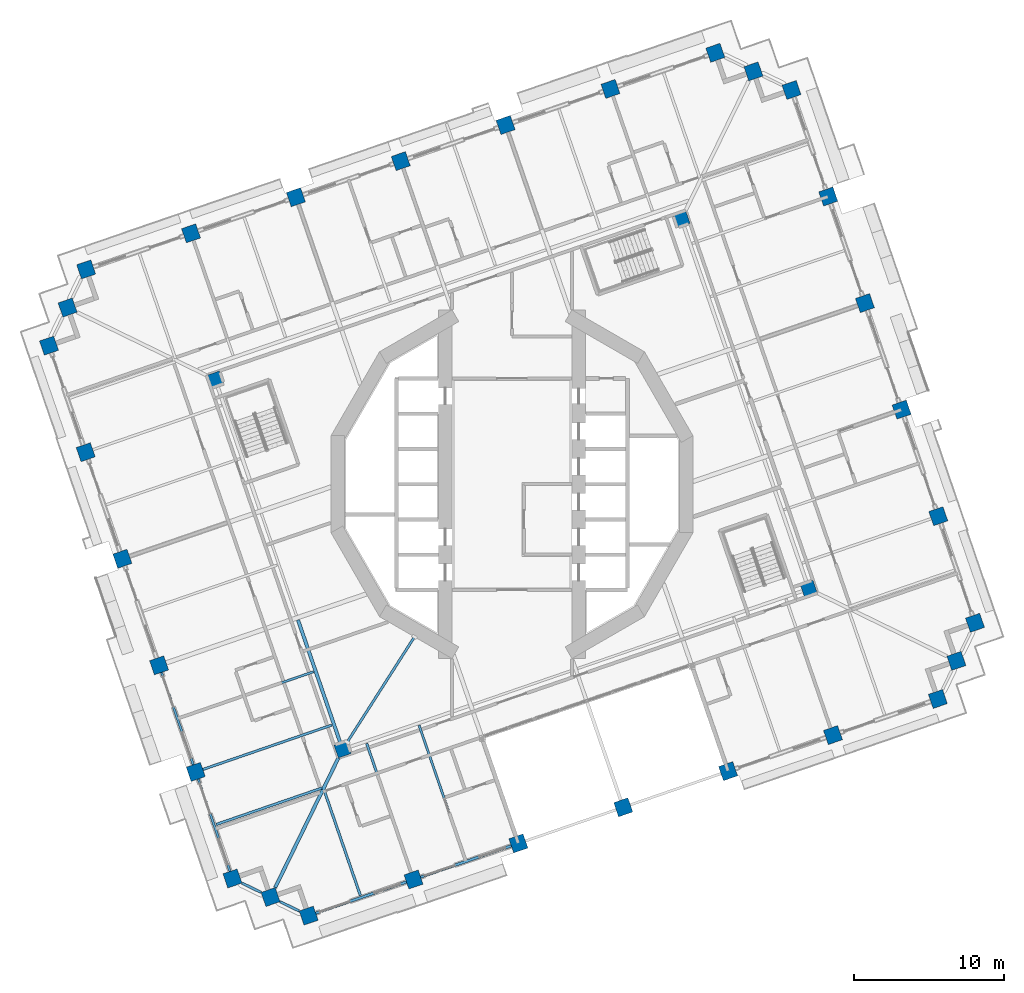
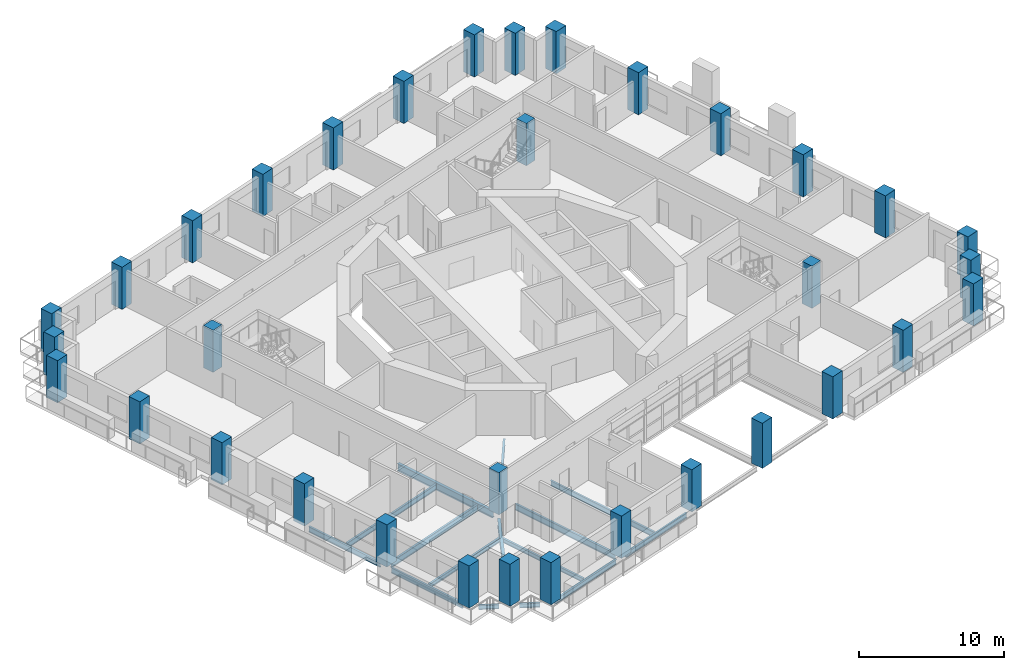
# One storey, part 1 of 22: 34 columns, 15 beams.
"""IFC4 building model written with IfcOpenShell, lengths in metres."""

from ifc_helpers import new_model, si_unit, direction, frame, origin, origin_2d, place, context, subcontext, project, spatial, rectangle, i_section, extrude, material, material_profile, profile_set, type_object, element, save


model = new_model("IFC4")

# Units and contexts
model_context = context("Model", 3, precision=1e-05, world=origin(), true_north=direction((0.0, 1.0)))
body_context = subcontext(model_context, "Body", "Model", "MODEL_VIEW")
ifc_project = project(units=[si_unit("LENGTHUNIT", "METRE"), si_unit("AREAUNIT", "SQUARE_METRE"), si_unit("VOLUMEUNIT", "CUBIC_METRE"), si_unit("PLANEANGLEUNIT", "RADIAN"), si_unit("MASSUNIT", "GRAM", prefix="KILO")], contexts=[model_context])

# Site, building, storey
site_placement = place(None, origin())
site = spatial("IfcSite", under=ifc_project, at=site_placement, CompositionType="ELEMENT")
building_placement = place(site_placement, origin())
building = spatial("IfcBuilding", under=site, at=building_placement, Name="Cantera Rosa Tower", CompositionType="ELEMENT")
storey_placement = place(building_placement, frame((0.0, 0.0, 107.89990234375)))
storey = spatial("IfcBuildingStorey", under=building, at=storey_placement, Name="L21", CompositionType="ELEMENT", Elevation=107.89990234375)

# Columns
ifc_material_1 = material(Name="Concrete C70/85", Category="concrete")
ifc_material_profile_1 = material_profile(ifc_material_1, rectangle(XDim=1.0, YDim=1.0, at=origin_2d()), Name="RC COLUMN RC1000X1000 C70/85")
ifc_profile_set_1 = profile_set([ifc_material_profile_1], Name="Concrete C70/85")
column_type_1 = type_object("IfcColumnType", Name="RC COLUMN RC1000X1000 C70/85", PredefinedType="COLUMN", material=ifc_profile_set_1)
for number, where, z_axis, x_axis, name in (
    (1, (30.893310546875, -9.245849609375, 0.0), (0.0, 0.0, 1.0), (0.945518575599, 0.325568154457, 0.0), "C-Z2-01 L21"),
    (2, (28.445068359375, -2.135498046875, 0.0), (0.0, 0.0, 1.0), (0.945518575599, 0.325568154457, 0.0), "C-Z2-02 L21"),
    (3, (25.996826171875, 4.974853515625, 0.0), (0.0, 0.0, 1.0), (0.945518575599, 0.325568154457, 0.0), "C-Z2-03 L21"),
    (4, (23.54833984375, 12.0849609375, 0.0), (0.0, 0.0, 1.0), (0.945518575599, 0.325568154457, 0.0), "C-Z2-04 L21"),
    (5, (21.10009765625, 19.1953125, 0.0), (0.0, 0.0, 1.0), (0.945518575599, 0.325568154457, 0.0), "C-Z2-05 L21"),
    (6, (18.65185546875, 26.3056640625, 0.0), (0.0, 0.0, 1.0), (0.945518575599, 0.325568154457, 0.0), "C-Z2-06 L21"),
    (7, (16.109619140625, 27.545654296875, 0.0), (0.0, 0.0, 1.0), (0.945518575599, 0.325568154457, 0.0), "C-Z2-07 L21"),
    (8, (13.567626953125, 28.785400390625, 0.0), (0.0, 0.0, 1.0), (0.945518575599, 0.325568154457, 0.0), "C-Z2-08 L21"),
    (9, (6.57080078125, 26.376220703125, 0.0), (0.0, 0.0, 1.0), (0.945518575599, 0.325568154457, 0.0), "C-Z2-09 L21"),
    (10, (-0.426025390625, 23.967041015625, 0.0), (0.0, 0.0, 1.0), (0.945518575599, 0.325568154457, 0.0), "C-Z2-10 L21"),
    (11, (-7.4228515625, 21.557861328125, 0.0), (0.0, 0.0, 1.0), (0.945518575599, 0.325568154457, 0.0), "C-Z2-11 L21"),
    (12, (-14.419677734375, 19.148681640625, 0.0), (0.0, 0.0, 1.0), (0.945518575599, 0.325568154457, 0.0), "C-Z2-12 L21"),
    (13, (-21.416748046875, 16.739501953125, 0.0), (0.0, 0.0, 1.0), (0.945518575599, 0.325568154457, 0.0), "C-Z2-13 L21"),
    (14, (-28.41357421875, 14.330322265625, 0.0), (0.0, 0.0, 1.0), (0.945518575599, 0.325568154457, 0.0), "C-Z2-14 L21"),
    (15, (-29.6533203125, 11.7880859375, 0.0), (0.0, 0.0, 1.0), (0.945518575599, 0.325568154457, 0.0), "C-Z2-15 L21"),
    (16, (-30.893310546875, 9.245849609375, 0.0), (0.0, 0.0, 1.0), (0.945518575599, 0.325568154457, 0.0), "C-Z2-16 L21"),
    (17, (-28.445068359375, 2.135498046875, 0.0), (0.0, 0.0, 1.0), (0.945518575599, 0.325568154457, 0.0), "C-Z2-17 L21"),
    (18, (-25.996826171875, -4.974853515625, 0.0), (0.0, 0.0, 1.0), (0.945518575599, 0.325568154457, 0.0), "C-Z2-18 L21"),
    (19, (-23.54833984375, -12.0849609375, 0.0), (0.0, 0.0, 1.0), (0.945518575599, 0.325568154457, 0.0), "C-Z2-19 L21"),
    (20, (-21.10009765625, -19.1953125, 0.0), (0.0, 0.0, 1.0), (0.945518575599, 0.325568154457, 0.0), "C-Z2-20 L21"),
    (21, (-18.65185546875, -26.3056640625, 0.0), (0.0, 0.0, 1.0), (0.945518575599, 0.325568154457, 0.0), "C-Z2-21 L21"),
    (22, (-16.109619140625, -27.545654296875, 0.0), (0.0, 0.0, 1.0), (0.945518575599, 0.325568154457, 0.0), "C-Z2-22 L21"),
    (23, (-13.567626953125, -28.785400390625, 0.0), (0.0, 0.0, 1.0), (0.945518575599, 0.325568154457, 0.0), "C-Z2-23 L21"),
    (24, (-6.57080078125, -26.376220703125, 0.0), (0.0, 0.0, 1.0), (0.945518575599, 0.325568154457, 0.0), "C-Z2-24 L21"),
    (25, (0.426025390625, -23.967041015625, 0.0), (0.0, 0.0, 1.0), (0.945518575599, 0.325568154457, 0.0), "C-Z2-25 L21"),
):
    element("IfcColumn", number, at=place(storey_placement, frame(where, z_axis=z_axis, x_axis=x_axis)), inside=storey, type_object=column_type_1, Name=name, PredefinedType="COLUMN", context=body_context, shape_type="SweptSolid", body=[
        extrude(rectangle(XDim=1.0, YDim=1.0, at=origin_2d()), origin(), (0.0, 0.0, 1.0), 3.550048828125),
    ])
column_placement = place(storey_placement, frame((7.4228515625, -21.557861328125, -0.25), z_axis=(0.0, 0.0, 1.0), x_axis=(0.945518575599, 0.325568154457, 0.0)))
element("IfcColumn", 26, at=column_placement, inside=storey, type_object=column_type_1, Name="C-Z2-26 L21", PredefinedType="COLUMN", context=body_context, shape_type="SweptSolid", body=[
    extrude(rectangle(XDim=1.0, YDim=1.0, at=origin_2d()), origin(), (0.0, 0.0, 1.0), 3.800048828125),
])
for number, where, z_axis, x_axis, name in (
    (27, (14.419677734375, -19.148681640625, 0.0), (0.0, 0.0, 1.0), (0.945518575599, 0.325568154457, 0.0), "C-Z2-27 L21"),
    (28, (21.416748046875, -16.739501953125, 0.0), (0.0, 0.0, 1.0), (0.945518575599, 0.325568154457, 0.0), "C-Z2-28 L21"),
    (29, (28.41357421875, -14.330322265625, 0.0), (0.0, 0.0, 1.0), (0.945518575599, 0.325568154457, 0.0), "C-Z2-29 L21"),
    (30, (29.6533203125, -11.7880859375, 0.0), (0.0, 0.0, 1.0), (0.945518575599, 0.325568154457, 0.0), "C-Z2-30 L21"),
):
    element("IfcColumn", number, at=place(storey_placement, frame(where, z_axis=z_axis, x_axis=x_axis)), inside=storey, type_object=column_type_1, Name=name, PredefinedType="COLUMN", context=body_context, shape_type="SweptSolid", body=[
        extrude(rectangle(XDim=1.0, YDim=1.0, at=origin_2d()), origin(), (0.0, 0.0, 1.0), 3.550048828125),
    ])
ifc_material_2 = material(Name="Concrete C70/85", Category="concrete")
ifc_material_profile_2 = material_profile(ifc_material_2, rectangle(XDim=0.89990234375, YDim=0.89990234375, at=origin_2d()), Name="RC RING COLUMN RC900X900 C70/85")
ifc_profile_set_2 = profile_set([ifc_material_profile_2], Name="Concrete C70/85")
column_type_2 = type_object("IfcColumnType", Name="RC RING COLUMN RC900X900 C70/85", PredefinedType="COLUMN", material=ifc_profile_set_2)
for number, where, z_axis, x_axis, name in (
    (31, (11.30517578125, 17.694580078125, 0.0), (0.0, 0.0, 1.0), (0.945518575599, 0.325568154457, 0.0), "CI-Z2-1 L21"),
    (32, (-19.802490234375, 6.9833984375, 0.0), (0.0, 0.0, 1.0), (0.945518575599, 0.325568154457, 0.0), "CI-Z2-2 L21"),
    (33, (-11.30517578125, -17.694580078125, 0.0), (0.0, 0.0, 1.0), (0.945518575599, 0.325568154457, 0.0), "CI-Z2-3 L21"),
    (34, (19.802490234375, -6.9833984375, 0.0), (0.0, 0.0, 1.0), (0.945518575599, 0.325568154457, 0.0), "CI-Z2-4 L21"),
):
    element("IfcColumn", number, at=place(storey_placement, frame(where, z_axis=z_axis, x_axis=x_axis)), inside=storey, type_object=column_type_2, Name=name, PredefinedType="COLUMN", context=body_context, shape_type="SweptSolid", body=[
        extrude(rectangle(XDim=0.89990234375, YDim=0.89990234375, at=origin_2d()), origin(), (0.0, 0.0, 1.0), 3.550048828125),
    ])

# Beams
ifc_material_3 = material(Name="Steel ASTM A992 (Fy 345 MPa)", Category="steel")
ifc_material_profile_3 = material_profile(ifc_material_3, i_section(OverallWidth=0.166015625, OverallDepth=0.528076171875, WebThickness=0.009765625, FlangeThickness=0.013671875, FilletRadius=0.0126953125, at=origin_2d()), Name="W530X74")
ifc_profile_set_3 = profile_set([ifc_material_profile_3], Name="Steel ASTM A992 (Fy 345 MPa)")
beam_type_1 = type_object("IfcBeamType", Name="STEEL BEAM W530X74", PredefinedType="BEAM", material=ifc_profile_set_3)
for number, where, z_axis, x_axis, name in (
    (35, (-6.7333984375, -25.903564453125, -0.513916015625), (-0.325588827377, 0.945511457089, 0.0), (-0.945511457089, -0.325588827377, 0.0), "G-Z2-10 L21"),
    (36, (-20.62744140625, -19.032470703125, -0.513916015625), (0.94551971591, 0.325564842737, 0.0), (-0.325564842737, 0.94551971591, 0.0), "G-Z2-18 L21"),
):
    element("IfcBeam", number, at=place(storey_placement, frame(where, z_axis=z_axis, x_axis=x_axis)), inside=storey, type_object=beam_type_1, Name=name, PredefinedType="BEAM", context=body_context, shape_type="SweptSolid", body=[
        extrude(i_section(OverallWidth=0.166015625, OverallDepth=0.528076171875, WebThickness=0.009765625, FlangeThickness=0.013671875, FilletRadius=0.0126953125, at=origin_2d()), origin(), (0.0, 0.0, 1.0), 9.10009765625),
    ])
beam_1_placement = place(storey_placement, frame((-10.995849609375, -17.21044921875, -0.513916015625), z_axis=(0.538396209095, 0.842691830999, 0.0), x_axis=(-0.842691830999, 0.538396209095, 0.0)))
element("IfcBeam", 37, at=beam_1_placement, inside=storey, type_object=beam_type_1, Name="PG-Z2-01 L21", PredefinedType="BEAM", context=body_context, shape_type="SweptSolid", body=[
    extrude(i_section(OverallWidth=0.166015625, OverallDepth=0.528076171875, WebThickness=0.009765625, FlangeThickness=0.013671875, FilletRadius=0.0126953125, at=origin_2d()), origin(), (0.0, 0.0, 1.0), 8.3369140625),
])
ifc_material_4 = material(Name="Steel ASTM A992 (Fy 345 MPa)", Category="steel")
ifc_material_profile_4 = material_profile(ifc_material_4, i_section(OverallWidth=0.22802734375, OverallDepth=0.60205078125, WebThickness=0.010498046875, FlangeThickness=0.014892578125, FilletRadius=0.0126953125, at=origin_2d()), Name="W610X101")
ifc_profile_set_4 = profile_set([ifc_material_profile_4], Name="Steel ASTM A992 (Fy 345 MPa)")
beam_type_2 = type_object("IfcBeamType", Name="STEEL BEAM W610X101", PredefinedType="BEAM", material=ifc_profile_set_4)
beam_2_placement = place(storey_placement, frame((-15.7998046875, -26.909912109375, -0.55078125), z_axis=(0.438387618569, 0.898786012288, 0.0), x_axis=(-0.898786012288, 0.438387618569, 0.0)))
element("IfcBeam", 38, at=beam_2_placement, inside=storey, type_object=beam_type_2, Name="CB-Z2-03 L21", PredefinedType="BEAM", context=body_context, shape_type="SweptSolid", body=[
    extrude(i_section(OverallWidth=0.22802734375, OverallDepth=0.60205078125, WebThickness=0.010498046875, FlangeThickness=0.014892578125, FilletRadius=0.0126953125, at=origin_2d()), origin(), (0.0, 0.0, 1.0), 9.61669921875),
])
beam_3_placement = place(storey_placement, frame((-11.45166015625, -17.26904296875, -0.55078125), z_axis=(-0.325559468466, 0.945521566381, 0.0), x_axis=(-0.945521566381, -0.325559468466, 0.0)))
element("IfcBeam", 39, at=beam_3_placement, inside=storey, type_object=beam_type_2, Name="RB-Z2-12 L21", PredefinedType="BEAM", context=body_context, shape_type="SweptSolid", body=[
    extrude(i_section(OverallWidth=0.22802734375, OverallDepth=0.60205078125, WebThickness=0.010498046875, FlangeThickness=0.014892578125, FilletRadius=0.0126953125, at=origin_2d()), origin(), (0.0, 0.0, 1.0), 8.68994140625),
])
ifc_material_5 = material(Name="Steel ASTM A992 (Fy 345 MPa)", Category="steel")
ifc_material_profile_5 = material_profile(ifc_material_5, i_section(OverallWidth=0.1708984375, OverallDepth=0.35595703125, WebThickness=0.00732421875, FlangeThickness=0.01171875, FilletRadius=0.010009765625, at=origin_2d()), Name="W360X51")
ifc_profile_set_5 = profile_set([ifc_material_profile_5], Name="Steel ASTM A992 (Fy 345 MPa)")
beam_type_3 = type_object("IfcBeamType", Name="STEEL JOIST W360X51", PredefinedType="JOIST", material=ifc_profile_set_5)
beam_4_placement = place(storey_placement, frame((-10.117919921875, -27.43896484375, -0.427978515625), z_axis=(-0.325565645331, 0.945519439557, 0.0), x_axis=(-0.945519439557, -0.325565645331, 0.0)))
element("IfcBeam", 40, at=beam_4_placement, inside=storey, type_object=beam_type_3, Name="B-Z2-12 L21", PredefinedType="JOIST", context=body_context, shape_type="SweptSolid", body=[
    extrude(i_section(OverallWidth=0.1708984375, OverallDepth=0.35595703125, WebThickness=0.00732421875, FlangeThickness=0.01171875, FilletRadius=0.010009765625, at=origin_2d()), origin(), (0.0, 0.0, 1.0), 7.39990234375),
])
beam_5_placement = place(storey_placement, frame((-19.734130859375, -22.70166015625, -0.427978515625), z_axis=(0.945518264054, 0.32556905925, 0.0), x_axis=(-0.32556905925, 0.945518264054, 0.0)))
element("IfcBeam", 41, at=beam_5_placement, inside=storey, type_object=beam_type_3, Name="B-Z2-22 L21", PredefinedType="JOIST", context=body_context, shape_type="SweptSolid", body=[
    extrude(i_section(OverallWidth=0.1708984375, OverallDepth=0.35595703125, WebThickness=0.00732421875, FlangeThickness=0.01171875, FilletRadius=0.010009765625, at=origin_2d()), origin(), (0.0, 0.0, 1.0), 7.4599609375),
])
ifc_material_6 = material(Name="Steel ASTM A992 (Fy 345 MPa)", Category="steel")
ifc_material_profile_6 = material_profile(ifc_material_6, i_section(OverallWidth=0.154052734375, OverallDepth=0.4599609375, WebThickness=0.009033203125, FlangeThickness=0.015380859375, FilletRadius=0.01025390625, at=origin_2d()), Name="W460X68")
ifc_profile_set_6 = profile_set([ifc_material_profile_6], Name="Steel ASTM A992 (Fy 345 MPa)")
beam_type_4 = type_object("IfcBeamType", Name="STEEL JOIST W460X68", PredefinedType="JOIST", material=ifc_profile_set_6)
for number, where, z_axis, x_axis, name in (
    (42, (-3.12109375, -25.02978515625, -0.47998046875), (-0.325575037498, 0.94551620555, 0.0), (-0.94551620555, -0.325575037498, 0.0), "B-Z2-13 L21"),
    (43, (-22.182373046875, -15.59130859375, -0.47998046875), (0.94551620555, 0.325575037498, 0.0), (-0.325575037498, 0.94551620555, 0.0), "B-Z2-21 L21"),
):
    element("IfcBeam", number, at=place(storey_placement, frame(where, z_axis=z_axis, x_axis=x_axis)), inside=storey, type_object=beam_type_4, Name=name, PredefinedType="JOIST", context=body_context, shape_type="SweptSolid", body=[
        extrude(i_section(OverallWidth=0.154052734375, OverallDepth=0.4599609375, WebThickness=0.009033203125, FlangeThickness=0.015380859375, FilletRadius=0.01025390625, at=origin_2d()), origin(), (0.0, 0.0, 1.0), 9.449951171875),
    ])
ifc_material_7 = material(Name="Steel ASTM A992 (Fy 345 MPa)", Category="steel")
ifc_material_profile_7 = material_profile(ifc_material_7, i_section(OverallWidth=0.1708984375, OverallDepth=0.35595703125, WebThickness=0.00732421875, FlangeThickness=0.01171875, FilletRadius=0.010009765625, at=origin_2d()), Name="W360X51")
ifc_profile_set_7 = profile_set([ifc_material_profile_7], Name="Steel ASTM A992 (Fy 345 MPa)")
beam_type_5 = type_object("IfcBeamType", Name="STEEL SPANDREL BEAM W360X51", PredefinedType="SPANDREL", material=ifc_profile_set_7)
for number, where, z_axis, x_axis, name in (
    (44, (-18.016357421875, -26.61572265625, -0.427978515625), (0.898803287583, -0.438352198842, 0.0), (0.438352198842, 0.898803287583, 0.0), "EB-Z2-21 L21"),
    (45, (-15.47412109375, -27.85546875, -0.427978515625), (0.898803287583, -0.438352198842, 0.0), (0.438352198842, 0.898803287583, 0.0), "EB-Z2-22 L21"),
):
    element("IfcBeam", number, at=place(storey_placement, frame(where, z_axis=z_axis, x_axis=x_axis)), inside=storey, type_object=beam_type_5, Name=name, PredefinedType="SPANDREL", context=body_context, shape_type="SweptSolid", body=[
        extrude(i_section(OverallWidth=0.1708984375, OverallDepth=0.35595703125, WebThickness=0.00732421875, FlangeThickness=0.01171875, FilletRadius=0.010009765625, at=origin_2d()), origin(), (0.0, 0.0, 1.0), 1.4140625),
    ])
ifc_material_8 = material(Name="Steel ASTM A992 (Fy 345 MPa)", Category="steel")
ifc_material_profile_8 = material_profile(ifc_material_8, i_section(OverallWidth=0.177978515625, OverallDepth=0.406005859375, WebThickness=0.0078125, FlangeThickness=0.0126953125, FilletRadius=0.01025390625, at=origin_2d()), Name="W410X60")
ifc_profile_set_8 = profile_set([ifc_material_profile_8], Name="Steel ASTM A992 (Fy 345 MPa)")
beam_type_6 = type_object("IfcBeamType", Name="STEEL SPANDREL BEAM W410X60", PredefinedType="SPANDREL", material=ifc_profile_set_8)
for number, where, z_axis, x_axis, name in (
    (46, (-13.0947265625, -28.62255859375, -0.452880859375), (0.945524496524, 0.325550958337, 0.0), (-0.325550958337, 0.945524496524, 0.0), "EB-Z2-23 L21"),
    (47, (-6.097900390625, -26.21337890625, -0.452880859375), (0.945524496524, 0.325550958337, 0.0), (-0.325550958337, 0.945524496524, 0.0), "EB-Z2-24 L21"),
):
    element("IfcBeam", number, at=place(storey_placement, frame(where, z_axis=z_axis, x_axis=x_axis)), inside=storey, type_object=beam_type_6, Name=name, PredefinedType="SPANDREL", context=body_context, shape_type="SweptSolid", body=[
        extrude(i_section(OverallWidth=0.177978515625, OverallDepth=0.406005859375, WebThickness=0.0078125, FlangeThickness=0.0126953125, FilletRadius=0.01025390625, at=origin_2d()), origin(), (0.0, 0.0, 1.0), 6.39990234375),
    ])
ifc_material_9 = material(Name="Steel ASTM A992 (Fy 345 MPa)", Category="steel")
ifc_material_profile_9 = material_profile(ifc_material_9, i_section(OverallWidth=0.154052734375, OverallDepth=0.4599609375, WebThickness=0.009033203125, FlangeThickness=0.015380859375, FilletRadius=0.01025390625, at=origin_2d()), Name="W460X68")
ifc_profile_set_9 = profile_set([ifc_material_profile_9], Name="Steel ASTM A992 (Fy 345 MPa)")
beam_type_7 = type_object("IfcBeamType", Name="STEEL SPANDREL BEAM W460X68", PredefinedType="SPANDREL", material=ifc_profile_set_9)
beam_6_placement = place(storey_placement, frame((-23.3857421875, -12.557861328125, -0.47998046875), z_axis=(0.325580990241, -0.945514155787, 0.0), x_axis=(0.945514155787, 0.325580990241, 0.0)))
element("IfcBeam", 48, at=beam_6_placement, inside=storey, type_object=beam_type_7, Name="EB-Z2-19 L21", PredefinedType="SPANDREL", context=body_context, shape_type="SweptSolid", body=[
    extrude(i_section(OverallWidth=0.154052734375, OverallDepth=0.4599609375, WebThickness=0.009033203125, FlangeThickness=0.015380859375, FilletRadius=0.01025390625, at=origin_2d()), origin(), (0.0, 0.0, 1.0), 6.52001953125),
])
beam_7_placement = place(storey_placement, frame((-20.9375, -19.668212890625, -0.47998046875), z_axis=(0.325592517631, -0.945510186335, 0.0), x_axis=(0.945510186335, 0.325592517631, 0.0)))
element("IfcBeam", 49, at=beam_7_placement, inside=storey, type_object=beam_type_7, Name="EB-Z2-20 L21", PredefinedType="SPANDREL", context=body_context, shape_type="SweptSolid", body=[
    extrude(i_section(OverallWidth=0.154052734375, OverallDepth=0.4599609375, WebThickness=0.009033203125, FlangeThickness=0.015380859375, FilletRadius=0.01025390625, at=origin_2d()), origin(), (0.0, 0.0, 1.0), 6.519775390625),
])

save(model, "model.ifc")
